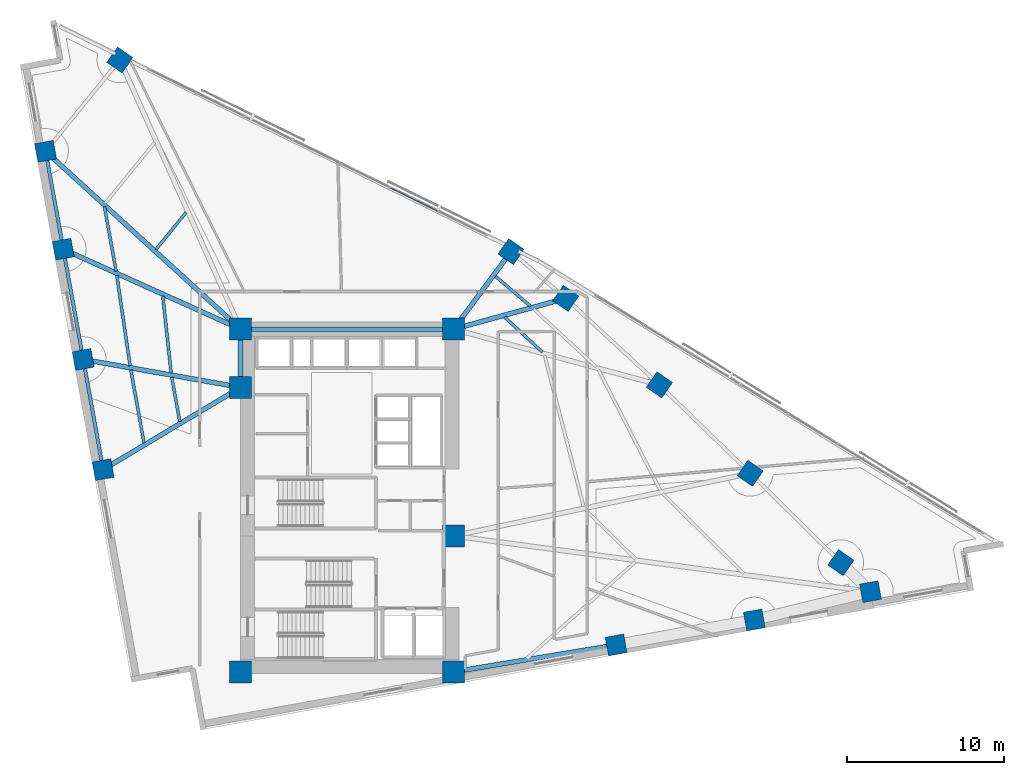
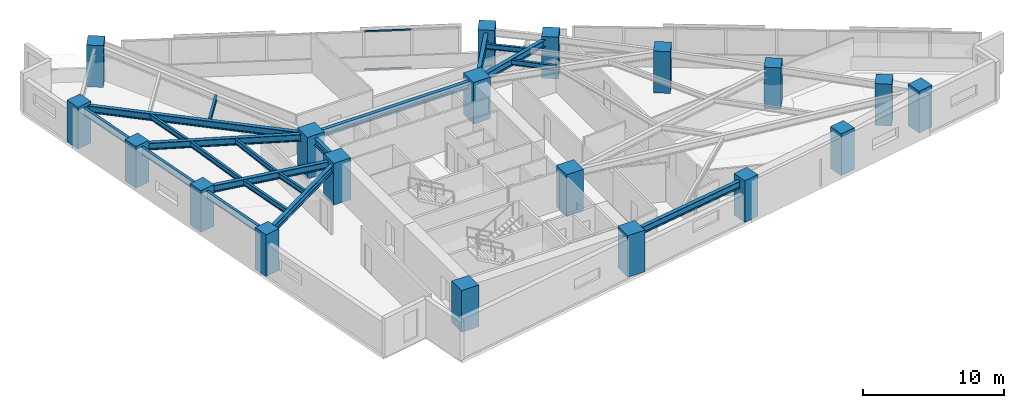
# One storey, part 1 of 18: 20 beams, 19 columns, 2 members, 1 element without a shape of its own.
"""IFC4 building model written with IfcOpenShell, lengths in metres."""

from ifc_helpers import new_model, si_unit, direction, frame, origin, origin_2d, place, context, subcontext, project, spatial, rectangle, hollow_rectangle, i_section, extrude, material, material_profile, profile_set, type_object, element, aggregate, save


model = new_model("IFC4")

# Units and contexts
model_context = context("Model", 3, precision=1e-05, world=origin(), true_north=direction((0.0, 1.0)))
body_context = subcontext(model_context, "Body", "Model", "MODEL_VIEW")
ifc_project = project(units=[si_unit("LENGTHUNIT", "METRE"), si_unit("AREAUNIT", "SQUARE_METRE"), si_unit("VOLUMEUNIT", "CUBIC_METRE"), si_unit("PLANEANGLEUNIT", "RADIAN"), si_unit("MASSUNIT", "GRAM", prefix="KILO")], contexts=[model_context])

# Site, building, storey
site_placement = place(None, origin())
site = spatial("IfcSite", under=ifc_project, at=site_placement, CompositionType="ELEMENT")
building_placement = place(site_placement, origin())
building = spatial("IfcBuilding", under=site, at=building_placement, Name="Narakoshi Arena Tower", CompositionType="ELEMENT")
storey_placement = place(building_placement, frame((0.0, 0.0, 120.89990234375)))
storey = spatial("IfcBuildingStorey", under=building, at=storey_placement, Name="L32", CompositionType="ELEMENT", Elevation=120.89990234375)

# Columns
ifc_material_1 = material(Name="Concrete C60/75", Category="concrete")
ifc_material_profile_1 = material_profile(ifc_material_1, rectangle(XDim=1.199951171875, YDim=1.199951171875, at=origin_2d()), Name="RC1200x1200")
ifc_profile_set_1 = profile_set([ifc_material_profile_1], Name="Concrete C60/75")
column_type_1 = type_object("IfcColumnType", Name="COL-RC1200", PredefinedType="COLUMN", material=ifc_profile_set_1)
for number, where, z_axis, x_axis, name in (
    (1, (95.89013671875, 36.411865234375, 0.0), (0.0, 0.0, 1.0), (0.984040697646, 0.177943545474, 0.0), "L32 Tower Perimeter Column TC02"),
    (2, (104.681396484375, 38.00146484375, 0.0), (0.0, 0.0, 1.0), (0.984040697646, 0.177943545474, 0.0), "L32 Tower Perimeter Column TC03"),
    (3, (112.0703125, 39.7978515625, 0.0), (0.0, 0.0, 1.0), (0.984040697646, 0.177943545474, 0.0), "L32 Tower Perimeter Column TC04"),
    (4, (110.189208984375, 41.650146484375, 0.0), (0.0, 0.0, 1.0), (0.569996762596, 0.821646937942, 0.0), "L32 Tower Perimeter Column TC05"),
    (5, (104.42041015625, 47.33056640625, 0.0), (0.0, 0.0, 1.0), (0.569996762596, 0.821646937942, 0.0), "L32 Tower Perimeter Column TC06"),
    (6, (98.641357421875, 52.95849609375, 0.0), (0.0, 0.0, 1.0), (0.569996762596, 0.821646937942, 0.0), "L32 Tower Perimeter Column TC07"),
    (7, (92.68994140625, 58.462890625, 0.0), (0.0, 0.0, 1.0), (0.569996762596, 0.821646937942, 0.0), "L32 Tower Perimeter Column TC08"),
    (8, (89.206787109375, 61.437744140625, 0.0), (0.0, 0.0, 1.0), (0.569996762596, 0.821646937942, 0.0), "L32 Tower Perimeter Column TC09"),
    (9, (64.31787109375, 73.633056640625, 0.0), (0.0, 0.0, 1.0), (0.569996762596, 0.821646937942, 0.0), "L32 Tower Perimeter Column TC11"),
    (10, (59.593505859375, 67.81591796875, 0.0), (0.0, 0.0, 1.0), (-0.177943545474, 0.984040697646, 0.0), "L32 Tower Perimeter Column TC13"),
    (11, (60.72021484375, 61.585205078125, 0.0), (0.0, 0.0, 1.0), (-0.177943545474, 0.984040697646, 0.0), "L32 Tower Perimeter Column TC14"),
    (12, (61.98779296875, 54.575439453125, 0.0), (0.0, 0.0, 1.0), (-0.177943545474, 0.984040697646, 0.0), "L32 Tower Perimeter Column TC15"),
    (13, (63.25537109375, 47.56591796875, 0.0), (0.0, 0.0, 1.0), (-0.177943545474, 0.984040697646, 0.0), "L32 Tower Perimeter Column TC16"),
):
    element("IfcColumn", number, at=place(storey_placement, frame(where, z_axis=z_axis, x_axis=x_axis)), inside=storey, type_object=column_type_1, Name=name, PredefinedType="COLUMN", context=body_context, shape_type="SweptSolid", body=[
        extrude(rectangle(XDim=1.199951171875, YDim=1.199951171875, at=origin_2d()), origin(), (0.0, 0.0, 1.0), 3.60009765625),
    ])
ifc_material_profile_2 = material_profile(ifc_material_1, rectangle(XDim=1.39990234375, YDim=1.39990234375, at=origin_2d()), Name="RC1400x1400")
ifc_profile_set_2 = profile_set([ifc_material_profile_2], Name="Concrete C60/75")
column_type_2 = type_object("IfcColumnType", Name="COL-RC1400", PredefinedType="COLUMN", material=ifc_profile_set_2)
for number, where, z_axis, x_axis, name in (
    (14, (72.0, 34.699951171875, 0.0), (0.0, 0.0, 1.0), (1.0, 0.0, 0.0), "L32 Core Structural Column CC1"),
    (15, (85.550048828125, 34.699951171875, 0.0), (0.0, 0.0, 1.0), (1.0, 0.0, 0.0), "L32 Core Structural Column CC2"),
    (16, (85.550048828125, 43.35009765625, 0.0), (0.0, 0.0, 1.0), (1.0, 0.0, 0.0), "L32 Core Structural Column CC3"),
    (17, (72.0, 52.800048828125, 0.0), (0.0, 0.0, 1.0), (1.0, 0.0, 0.0), "L32 Core Structural Column CC4"),
    (18, (72.0, 56.5, 0.0), (0.0, 0.0, 1.0), (1.0, 0.0, 0.0), "L32 Core Structural Column CC5"),
    (19, (85.550048828125, 56.5, 0.0), (0.0, 0.0, 1.0), (1.0, 0.0, 0.0), "L32 Core Structural Column CC6"),
):
    element("IfcColumn", number, at=place(storey_placement, frame(where, z_axis=z_axis, x_axis=x_axis)), inside=storey, type_object=column_type_2, Name=name, PredefinedType="COLUMN", context=body_context, shape_type="SweptSolid", body=[
        extrude(rectangle(XDim=1.39990234375, YDim=1.39990234375, at=origin_2d()), origin(), (0.0, 0.0, 1.0), 3.60009765625),
    ])

# Beams
ifc_material_2 = material(Name="Structural steel S355J2", Category="steel")
ifc_material_profile_3 = material_profile(ifc_material_2, i_section(OverallWidth=0.219970703125, OverallDepth=0.60009765625, WebThickness=0.011962890625, FlangeThickness=0.01904296875, FilletRadius=0.02392578125, at=origin_2d()), Name="IPE600")
ifc_profile_set_3 = profile_set([ifc_material_profile_3], Name="Structural steel S355J2")
beam_type_1 = type_object("IfcBeamType", Name="BM-EDGE-600", PredefinedType="BEAM", material=ifc_profile_set_3)
beam_1_placement = place(storey_placement, frame((59.593505859375, 67.81591796875, 3.0400390625), z_axis=(0.177945465207, -0.9840403505, 0.0), x_axis=(0.9840403505, 0.177945465207, 0.0)))
element("IfcBeam", 20, at=beam_1_placement, inside=storey, type_object=beam_type_1, Name="L32 Perimeter Edge Girder 10", PredefinedType="BEAM", context=body_context, shape_type="SweptSolid", body=[
    extrude(i_section(OverallWidth=0.219970703125, OverallDepth=0.60009765625, WebThickness=0.011962890625, FlangeThickness=0.01904296875, FilletRadius=0.02392578125, at=origin_2d()), origin(), (0.0, 0.0, 1.0), 6.331787109375),
])
beam_2_placement = place(storey_placement, frame((60.72021484375, 61.585205078125, 3.0400390625), z_axis=(0.177944362466, -0.98404054991, 0.0), x_axis=(0.98404054991, 0.177944362466, 0.0)))
element("IfcBeam", 21, at=beam_2_placement, inside=storey, type_object=beam_type_1, Name="L32 Perimeter Edge Girder 11", PredefinedType="BEAM", context=body_context, shape_type="SweptSolid", body=[
    extrude(i_section(OverallWidth=0.219970703125, OverallDepth=0.60009765625, WebThickness=0.011962890625, FlangeThickness=0.01904296875, FilletRadius=0.02392578125, at=origin_2d()), origin(), (0.0, 0.0, 1.0), 7.12353515625),
])
beam_3_placement = place(storey_placement, frame((61.98779296875, 54.575439453125, 3.0400390625), z_axis=(0.177950363985, -0.984039464634, 0.0), x_axis=(0.984039464634, 0.177950363985, 0.0)))
element("IfcBeam", 22, at=beam_3_placement, inside=storey, type_object=beam_type_1, Name="L32 Perimeter Edge Girder 12", PredefinedType="BEAM", context=body_context, shape_type="SweptSolid", body=[
    extrude(i_section(OverallWidth=0.219970703125, OverallDepth=0.60009765625, WebThickness=0.011962890625, FlangeThickness=0.01904296875, FilletRadius=0.02392578125, at=origin_2d()), origin(), (0.0, 0.0, 1.0), 7.123291015625),
])
ifc_material_profile_4 = material_profile(ifc_material_2, i_section(OverallWidth=0.300048828125, OverallDepth=0.60009765625, WebThickness=0.015380859375, FlangeThickness=0.030029296875, FilletRadius=0.027099609375, at=origin_2d()), Name="HE600B")
ifc_profile_set_4 = profile_set([ifc_material_profile_4], Name="Structural steel S355J2")
beam_type_2 = type_object("IfcBeamType", Name="BM-PRI-600", PredefinedType="BEAM", material=ifc_profile_set_4)
beam_4_placement = place(storey_placement, frame((85.550048828125, 34.699951171875, 3.0400390625), z_axis=(0.986570261116, 0.163337441762, 0.0), x_axis=(-0.163337441762, 0.986570261116, 0.0)))
element("IfcBeam", 23, at=beam_4_placement, inside=storey, type_object=beam_type_2, Name="L32 Radial Primary Floor Girder 01", PredefinedType="BEAM", context=body_context, shape_type="SweptSolid", body=[
    extrude(i_section(OverallWidth=0.300048828125, OverallDepth=0.60009765625, WebThickness=0.015380859375, FlangeThickness=0.030029296875, FilletRadius=0.027099609375, at=origin_2d()), origin(), (0.0, 0.0, 1.0), 10.48095703125),
])
beam_5_placement = place(storey_placement, frame((85.550048828125, 56.5, 3.0400390625), z_axis=(0.964225409977, 0.265083682551, 0.0), x_axis=(-0.265083682551, 0.964225409977, 0.0)))
element("IfcBeam", 24, at=beam_5_placement, inside=storey, type_object=beam_type_2, Name="L32 Radial Primary Floor Girder 07", PredefinedType="BEAM", context=body_context, shape_type="SweptSolid", body=[
    extrude(i_section(OverallWidth=0.300048828125, OverallDepth=0.60009765625, WebThickness=0.015380859375, FlangeThickness=0.030029296875, FilletRadius=0.027099609375, at=origin_2d()), origin(), (0.0, 0.0, 1.0), 7.40478515625),
])
beam_6_placement = place(storey_placement, frame((85.550048828125, 56.5, 3.0400390625), z_axis=(0.595138224279, 0.803623353321, 0.0), x_axis=(-0.803623353321, 0.595138224279, 0.0)))
element("IfcBeam", 25, at=beam_6_placement, inside=storey, type_object=beam_type_2, Name="L32 Radial Primary Floor Girder 08", PredefinedType="BEAM", context=body_context, shape_type="SweptSolid", body=[
    extrude(i_section(OverallWidth=0.300048828125, OverallDepth=0.60009765625, WebThickness=0.015380859375, FlangeThickness=0.030029296875, FilletRadius=0.027099609375, at=origin_2d()), origin(), (0.0, 0.0, 1.0), 6.144287109375),
])
beam_7_placement = place(storey_placement, frame((72.0, 56.5, 3.0400390625), z_axis=(-0.738833839277, 0.673887644893, 0.0), x_axis=(-0.673887644893, -0.738833839277, 0.0)))
element("IfcBeam", 26, at=beam_7_placement, inside=storey, type_object=beam_type_2, Name="L32 Radial Primary Floor Girder 10", PredefinedType="BEAM", context=body_context, shape_type="SweptSolid", body=[
    extrude(i_section(OverallWidth=0.300048828125, OverallDepth=0.60009765625, WebThickness=0.015380859375, FlangeThickness=0.030029296875, FilletRadius=0.027099609375, at=origin_2d()), origin(), (0.0, 0.0, 1.0), 16.7919921875),
])
beam_8_placement = place(storey_placement, frame((72.0, 56.5, 3.0400390625), z_axis=(-0.911639961566, 0.410989757142, 0.0), x_axis=(-0.410989757142, -0.911639961566, 0.0)))
element("IfcBeam", 27, at=beam_8_placement, inside=storey, type_object=beam_type_2, Name="L32 Radial Primary Floor Girder 11", PredefinedType="BEAM", context=body_context, shape_type="SweptSolid", body=[
    extrude(i_section(OverallWidth=0.300048828125, OverallDepth=0.60009765625, WebThickness=0.015380859375, FlangeThickness=0.030029296875, FilletRadius=0.027099609375, at=origin_2d()), origin(), (0.0, 0.0, 1.0), 12.373046875),
])
beam_9_placement = place(storey_placement, frame((72.0, 52.800048828125, 3.0400390625), z_axis=(-0.984639647685, 0.174598866568, 0.0), x_axis=(-0.174598866568, -0.984639647685, 0.0)))
element("IfcBeam", 28, at=beam_9_placement, inside=storey, type_object=beam_type_2, Name="L32 Radial Primary Floor Girder 12", PredefinedType="BEAM", context=body_context, shape_type="SweptSolid", body=[
    extrude(i_section(OverallWidth=0.300048828125, OverallDepth=0.60009765625, WebThickness=0.015380859375, FlangeThickness=0.030029296875, FilletRadius=0.027099609375, at=origin_2d()), origin(), (0.0, 0.0, 1.0), 10.16845703125),
])
beam_10_placement = place(storey_placement, frame((72.0, 52.800048828125, 3.0400390625), z_axis=(-0.858039895053, -0.513583039534, 0.0), x_axis=(0.513583039534, -0.858039895053, 0.0)))
element("IfcBeam", 29, at=beam_10_placement, inside=storey, type_object=beam_type_2, Name="L32 Radial Primary Floor Girder 13", PredefinedType="BEAM", context=body_context, shape_type="SweptSolid", body=[
    extrude(i_section(OverallWidth=0.300048828125, OverallDepth=0.60009765625, WebThickness=0.015380859375, FlangeThickness=0.030029296875, FilletRadius=0.027099609375, at=origin_2d()), origin(), (0.0, 0.0, 1.0), 10.19140625),
])
beam_11_placement = place(storey_placement, frame((72.0, 52.800048828125, 3.0400390625), z_axis=(0.0, 1.0, 0.0), x_axis=(-1.0, 0.0, 0.0)))
element("IfcBeam", 30, at=beam_11_placement, inside=storey, type_object=beam_type_2, Name="L32 Core Perimeter Frame Beam CC4-CC5", PredefinedType="BEAM", context=body_context, shape_type="SweptSolid", body=[
    extrude(i_section(OverallWidth=0.300048828125, OverallDepth=0.60009765625, WebThickness=0.015380859375, FlangeThickness=0.030029296875, FilletRadius=0.027099609375, at=origin_2d()), origin(), (0.0, 0.0, 1.0), 3.699951171875),
])
beam_12_placement = place(storey_placement, frame((72.0, 56.5, 3.0400390625), z_axis=(1.0, 0.0, 0.0), x_axis=(0.0, 1.0, 0.0)))
element("IfcBeam", 31, at=beam_12_placement, inside=storey, type_object=beam_type_2, Name="L32 Core Perimeter Frame Beam CC5-CC6", PredefinedType="BEAM", context=body_context, shape_type="SweptSolid", body=[
    extrude(i_section(OverallWidth=0.300048828125, OverallDepth=0.60009765625, WebThickness=0.015380859375, FlangeThickness=0.030029296875, FilletRadius=0.027099609375, at=origin_2d()), origin(), (0.0, 0.0, 1.0), 13.550048828125),
])
ifc_material_profile_5 = material_profile(ifc_material_2, i_section(OverallWidth=0.18994140625, OverallDepth=0.449951171875, WebThickness=0.009521484375, FlangeThickness=0.0146484375, FilletRadius=0.02099609375, at=origin_2d()), Name="IPE450")
ifc_profile_set_5 = profile_set([ifc_material_profile_5], Name="Structural steel S355J2")
beam_type_3 = type_object("IfcBeamType", Name="BM-SEC-450", PredefinedType="JOIST", material=ifc_profile_set_5)
beam_13_placement = place(storey_placement, frame((91.211181640625, 55.033447265625, 3.114990234375), z_axis=(-0.734152962366, 0.678984114578, 0.0), x_axis=(-0.678984114578, -0.734152962366, 0.0)))
element("IfcBeam", 32, at=beam_13_placement, inside=storey, type_object=beam_type_3, Name="L32 Composite Secondary Floor Joist 06", PredefinedType="JOIST", context=body_context, shape_type="SweptSolid", body=[
    extrude(i_section(OverallWidth=0.18994140625, OverallDepth=0.449951171875, WebThickness=0.009521484375, FlangeThickness=0.0146484375, FilletRadius=0.02099609375, at=origin_2d()), origin(), (0.0, 0.0, 1.0), 3.296875),
])
beam_14_placement = place(storey_placement, frame((90.4453125, 57.961669921875, 3.114990234375), z_axis=(-0.760382231872, 0.649475835927, 0.0), x_axis=(-0.649475835927, -0.760382231872, 0.0)))
element("IfcBeam", 33, at=beam_14_placement, inside=storey, type_object=beam_type_3, Name="L32 Composite Secondary Floor Joist 08", PredefinedType="JOIST", context=body_context, shape_type="SweptSolid", body=[
    extrude(i_section(OverallWidth=0.18994140625, OverallDepth=0.449951171875, WebThickness=0.009521484375, FlangeThickness=0.0146484375, FilletRadius=0.02099609375, at=origin_2d()), origin(), (0.0, 0.0, 1.0), 2.9365234375),
])
beam_15_placement = place(storey_placement, frame((68.53466796875, 63.93359375, 3.114990234375), z_axis=(-0.630431693458, -0.776244729376, 0.0), x_axis=(0.776244729376, -0.630431693458, 0.0)))
element("IfcBeam", 34, at=beam_15_placement, inside=storey, type_object=beam_type_3, Name="L32 Composite Secondary Floor Joist 09", PredefinedType="JOIST", context=body_context, shape_type="SweptSolid", body=[
    extrude(i_section(OverallWidth=0.18994140625, OverallDepth=0.449951171875, WebThickness=0.009521484375, FlangeThickness=0.0146484375, FilletRadius=0.02099609375, at=origin_2d()), origin(), (0.0, 0.0, 1.0), 3.027099609375),
])
beam_16_placement = place(storey_placement, frame((63.339599609375, 64.288330078125, 3.114990234375), z_axis=(0.177899481436, -0.984048664704, 0.0), x_axis=(0.984048664704, 0.177899481436, 0.0)))
element("IfcBeam", 35, at=beam_16_placement, inside=storey, type_object=beam_type_3, Name="L32 Composite Secondary Floor Joist 11", PredefinedType="JOIST", context=body_context, shape_type="SweptSolid", body=[
    extrude(i_section(OverallWidth=0.18994140625, OverallDepth=0.449951171875, WebThickness=0.009521484375, FlangeThickness=0.0146484375, FilletRadius=0.02099609375, at=origin_2d()), origin(), (0.0, 0.0, 1.0), 4.162353515625),
])
beam_17_placement = place(storey_placement, frame((67.051513671875, 58.603271484375, 3.114990234375), z_axis=(0.107509701648, -0.994204035423, 0.0), x_axis=(0.994204035423, 0.107509701648, 0.0)))
element("IfcBeam", 36, at=beam_17_placement, inside=storey, type_object=beam_type_3, Name="L32 Composite Secondary Floor Joist 12", PredefinedType="JOIST", context=body_context, shape_type="SweptSolid", body=[
    extrude(i_section(OverallWidth=0.18994140625, OverallDepth=0.449951171875, WebThickness=0.009521484375, FlangeThickness=0.0146484375, FilletRadius=0.02099609375, at=origin_2d()), origin(), (0.0, 0.0, 1.0), 4.91650390625),
])
beam_18_placement = place(storey_placement, frame((64.123779296875, 59.926025390625, 3.114990234375), z_axis=(0.145895495759, -0.989300007236, 0.0), x_axis=(0.989300007236, 0.145895495759, 0.0)))
element("IfcBeam", 37, at=beam_18_placement, inside=storey, type_object=beam_type_3, Name="L32 Composite Secondary Floor Joist 13", PredefinedType="JOIST", context=body_context, shape_type="SweptSolid", body=[
    extrude(i_section(OverallWidth=0.18994140625, OverallDepth=0.449951171875, WebThickness=0.009521484375, FlangeThickness=0.0146484375, FilletRadius=0.02099609375, at=origin_2d()), origin(), (0.0, 0.0, 1.0), 5.811767578125),
])
beam_19_placement = place(storey_placement, frame((67.61865234375, 53.448486328125, 3.114990234375), z_axis=(0.177970279924, -0.984035862895, 0.0), x_axis=(0.984035862895, 0.177970279924, 0.0)))
element("IfcBeam", 38, at=beam_19_placement, inside=storey, type_object=beam_type_3, Name="L32 Composite Secondary Floor Joist 14", PredefinedType="JOIST", context=body_context, shape_type="SweptSolid", body=[
    extrude(i_section(OverallWidth=0.18994140625, OverallDepth=0.449951171875, WebThickness=0.009521484375, FlangeThickness=0.0146484375, FilletRadius=0.02099609375, at=origin_2d()), origin(), (0.0, 0.0, 1.0), 2.8642578125),
])
beam_20_placement = place(storey_placement, frame((65.015380859375, 53.909912109375, 3.114990234375), z_axis=(0.177965200164, -0.984036781594, 0.0), x_axis=(0.984036781594, 0.177965200164, 0.0)))
element("IfcBeam", 39, at=beam_20_placement, inside=storey, type_object=beam_type_3, Name="L32 Composite Secondary Floor Joist 15", PredefinedType="JOIST", context=body_context, shape_type="SweptSolid", body=[
    extrude(i_section(OverallWidth=0.18994140625, OverallDepth=0.449951171875, WebThickness=0.009521484375, FlangeThickness=0.0146484375, FilletRadius=0.02099609375, at=origin_2d()), origin(), (0.0, 0.0, 1.0), 4.71630859375),
])

# Curtain wall, members
ifc_material_3 = material(Name="Anodised bronze aluminium 6063-T6", Category="aluminium")
curtain_wall_type = type_object("IfcCurtainWallType", Name="CW-HYP-LOW", PredefinedType="NOTDEFINED", material=ifc_material_3)
curtain_wall_placement = place(storey_placement, origin())
curtain_wall = element("IfcCurtainWall", 40, at=curtain_wall_placement, inside=storey, type_object=curtain_wall_type, Name="L32 Folded Hypotenuse Curtain Wall 2-1", PredefinedType="NOTDEFINED")
ifc_material_profile_6 = material_profile(ifc_material_3, hollow_rectangle(XDim=0.06494140625, YDim=0.1298828125, WallThickness=0.00390625, OuterFilletRadius=0.0048828125, at=origin_2d()), Name="TRN130x65x4")
ifc_profile_set_6 = profile_set([ifc_material_profile_6], Name="Anodised bronze aluminium 6063-T6")
member_type = type_object("IfcMemberType", Name="MEM-TRN-130", PredefinedType="USERDEFINED", material=ifc_profile_set_6)
member_1_placement = place(storey_placement, frame((84.525634765625, 64.02099609375, 0.03271484375), z_axis=(-0.897986843255, 0.440022305503, 0.0), x_axis=(-0.440022305503, -0.897986843255, 0.0)))
member_1 = element("IfcMember", 41, at=member_1_placement, type_object=member_type, Name="CW-01 transom 2.1", ObjectType="TRANSOM", PredefinedType="USERDEFINED", context=body_context, shape_type="SweptSolid", body=[
    extrude(hollow_rectangle(XDim=0.06494140625, YDim=0.1298828125, WallThickness=0.00390625, OuterFilletRadius=0.0048828125, at=origin_2d()), origin(), (0.0, 0.0, 1.0), 3.347412109375),
])
member_2_placement = place(storey_placement, frame((84.525634765625, 64.02099609375, 3.3076171875), z_axis=(-0.897986843255, 0.440022305503, 0.0), x_axis=(-0.440022305503, -0.897986843255, 0.0)))
member_2 = element("IfcMember", 42, at=member_2_placement, type_object=member_type, Name="CW-01 transom 2.2", ObjectType="TRANSOM", PredefinedType="USERDEFINED", context=body_context, shape_type="SweptSolid", body=[
    extrude(hollow_rectangle(XDim=0.06494140625, YDim=0.1298828125, WallThickness=0.00390625, OuterFilletRadius=0.0048828125, at=origin_2d()), origin(), (0.0, 0.0, 1.0), 3.347412109375),
])
aggregate(curtain_wall, [member_1, member_2])

save(model, "model.ifc")
